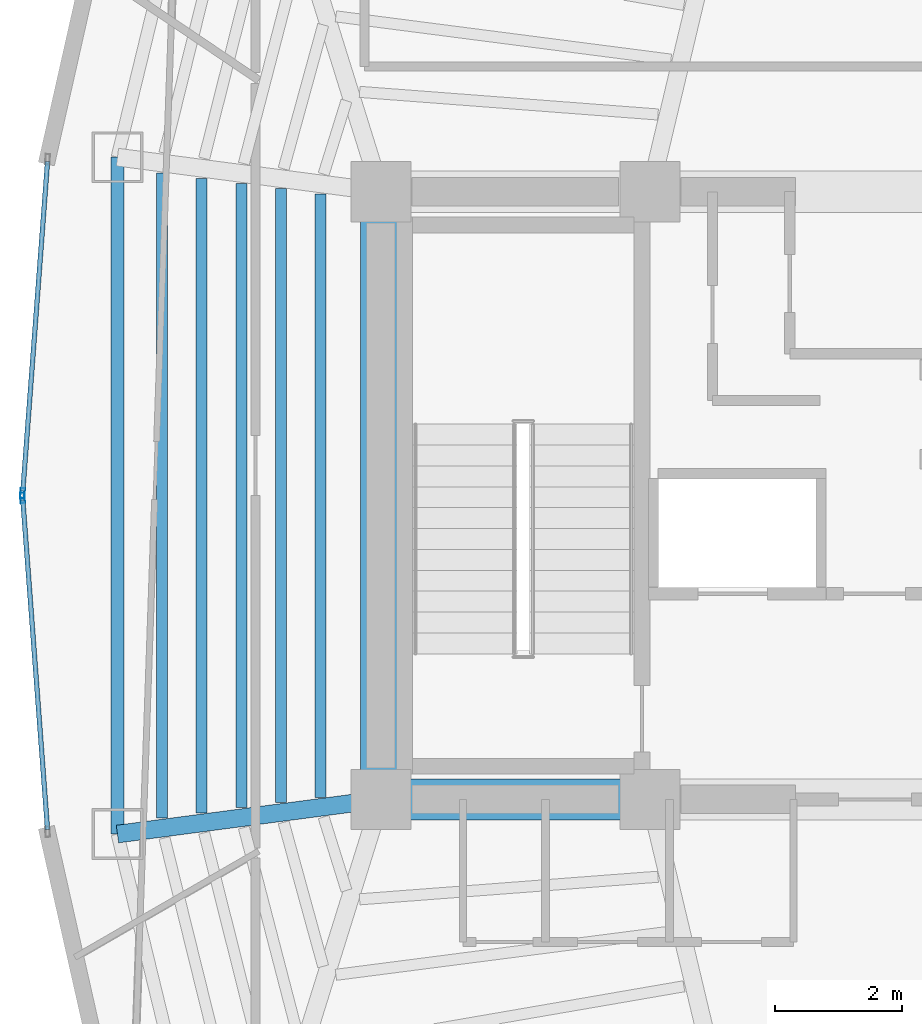
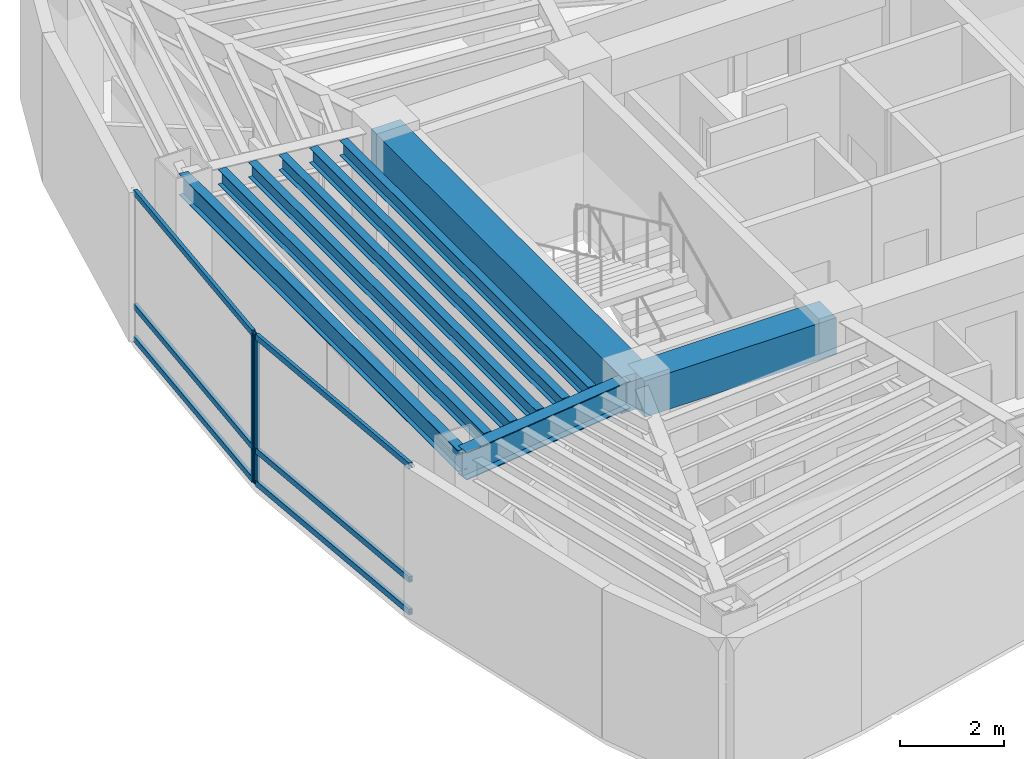
# One storey, part 4 of 16: 9 beams, 8 members, 2 elements without a shape of their own.
"""IFC4 building model written with IfcOpenShell, lengths in metres."""

from ifc_helpers import new_model, si_unit, direction, frame, origin, origin_2d, place, context, subcontext, project, spatial, rectangle, hollow_rectangle, i_section, extrude, material, layer, layer_set, material_profile, profile_set, type_object, element, aggregate, save


model = new_model("IFC4")

# Units and contexts
model_context = context("Model", 3, precision=1e-05, world=origin(), true_north=direction((0.0, 1.0)))
body_context = subcontext(model_context, "Body", "Model", "MODEL_VIEW")
ifc_project = project(units=[si_unit("LENGTHUNIT", "METRE"), si_unit("AREAUNIT", "SQUARE_METRE"), si_unit("VOLUMEUNIT", "CUBIC_METRE"), si_unit("PLANEANGLEUNIT", "RADIAN"), si_unit("MASSUNIT", "GRAM", prefix="KILO")], contexts=[model_context])

# Site, building, storey
site_placement = place(None, origin())
site = spatial("IfcSite", under=ifc_project, at=site_placement, CompositionType="ELEMENT")
building_placement = place(site_placement, origin())
building = spatial("IfcBuilding", under=site, at=building_placement, Name="Menara Vayukalpa", CompositionType="ELEMENT")
storey_placement = place(building_placement, frame((0.0, 0.0, 276.89990234375)))
storey = spatial("IfcBuildingStorey", under=building, at=storey_placement, Name="L70", CompositionType="ELEMENT", Elevation=276.89990234375)

# Beams
ifc_material_1 = material(Name="Concrete C60/75", Category="concrete")
ifc_material_profile_1 = material_profile(ifc_material_1, rectangle(XDim=0.64990234375, YDim=0.85009765625, at=origin_2d()), Name="RC 650x850")
ifc_profile_set_1 = profile_set([ifc_material_profile_1], Name="Concrete C60/75")
beam_type_1 = type_object("IfcBeamType", Name="BM-CB1", PredefinedType="BEAM", material=ifc_profile_set_1)
beam_1_placement = place(storey_placement, frame((17.800048828125, 17.199951171875, 3.0751953125), z_axis=(1.0, 0.0, 0.0), x_axis=(0.0, 1.0, 0.0)))
element("IfcBeam", 1, at=beam_1_placement, inside=storey, type_object=beam_type_1, Name="L70 Core Tie Beam CBR1", PredefinedType="BEAM", context=body_context, shape_type="SweptSolid", body=[
    extrude(rectangle(XDim=0.64990234375, YDim=0.85009765625, at=origin_2d()), origin(), (0.0, 0.0, 1.0), 4.25),
])
beam_2_placement = place(storey_placement, frame((17.800048828125, 17.199951171875, 3.0751953125), z_axis=(0.0, 1.0, 0.0), x_axis=(-1.0, 0.0, 0.0)))
element("IfcBeam", 2, at=beam_2_placement, inside=storey, type_object=beam_type_1, Name="L70 Core Tie Beam CBR7", PredefinedType="BEAM", context=body_context, shape_type="SweptSolid", body=[
    extrude(rectangle(XDim=0.64990234375, YDim=0.85009765625, at=origin_2d()), origin(), (0.0, 0.0, 1.0), 9.60009765625),
])
ifc_material_2 = material(Name="Steel S355", Category="steel")
ifc_material_profile_2 = material_profile(ifc_material_2, i_section(OverallWidth=0.280029296875, OverallDepth=0.64990234375, WebThickness=0.012939453125, FlangeThickness=0.02197265625, at=origin_2d()), Name="WF 650x280x13x22")
ifc_profile_set_2 = profile_set([ifc_material_profile_2], Name="Steel S355")
beam_type_2 = type_object("IfcBeamType", Name="BM-PG6", PredefinedType="BEAM", material=ifc_profile_set_2)
beam_3_placement = place(storey_placement, frame((17.552001953125, 17.16748046875, 3.175048828125), z_axis=(-0.991477860763, -0.130275291662, 0.0), x_axis=(0.130275291662, -0.991477860763, 0.0)))
element("IfcBeam", 3, at=beam_3_placement, inside=storey, type_object=beam_type_2, Name="L70 Primary Radial Girder RG06", PredefinedType="BEAM", context=body_context, shape_type="SweptSolid", body=[
    extrude(i_section(OverallWidth=0.280029296875, OverallDepth=0.64990234375, WebThickness=0.012939453125, FlangeThickness=0.02197265625, at=origin_2d()), origin(), (0.0, 0.0, 1.0), 3.94677734375),
])
ifc_material_3 = material(Name="Steel S355", Category="steel")
ifc_material_profile_3 = material_profile(ifc_material_3, i_section(OverallWidth=0.175048828125, OverallDepth=0.35009765625, WebThickness=0.007080078125, FlangeThickness=0.010986328125, at=origin_2d()), Name="WF 350x175x7x11")
ifc_profile_set_3 = profile_set([ifc_material_profile_3], Name="Steel S355")
beam_type_3 = type_object("IfcBeamType", Name="BM-SJ3", PredefinedType="JOIST", material=ifc_profile_set_3)
beam_4_placement = place(storey_placement, frame((16.84765625, 26.76513671875, 3.3251953125), z_axis=(0.0, -1.0, 0.0), x_axis=(1.0, 0.0, 0.0)))
element("IfcBeam", 4, at=beam_4_placement, inside=storey, type_object=beam_type_3, Name="L70 Secondary Floor Joist SJ05-1", PredefinedType="JOIST", context=body_context, shape_type="SweptSolid", body=[
    extrude(i_section(OverallWidth=0.175048828125, OverallDepth=0.35009765625, WebThickness=0.007080078125, FlangeThickness=0.010986328125, at=origin_2d()), origin(), (0.0, 0.0, 1.0), 9.5302734375),
])
beam_5_placement = place(storey_placement, frame((16.2216796875, 26.847412109375, 3.3251953125), z_axis=(0.0, -1.0, 0.0), x_axis=(1.0, 0.0, 0.0)))
element("IfcBeam", 5, at=beam_5_placement, inside=storey, type_object=beam_type_3, Name="L70 Secondary Floor Joist SJ05-2", PredefinedType="JOIST", context=body_context, shape_type="SweptSolid", body=[
    extrude(i_section(OverallWidth=0.175048828125, OverallDepth=0.35009765625, WebThickness=0.007080078125, FlangeThickness=0.010986328125, at=origin_2d()), origin(), (0.0, 0.0, 1.0), 9.69482421875),
])
beam_6_placement = place(storey_placement, frame((15.595458984375, 26.9296875, 3.3251953125), z_axis=(0.0, -1.0, 0.0), x_axis=(1.0, 0.0, 0.0)))
element("IfcBeam", 6, at=beam_6_placement, inside=storey, type_object=beam_type_3, Name="L70 Secondary Floor Joist SJ05-3", PredefinedType="JOIST", context=body_context, shape_type="SweptSolid", body=[
    extrude(i_section(OverallWidth=0.175048828125, OverallDepth=0.35009765625, WebThickness=0.007080078125, FlangeThickness=0.010986328125, at=origin_2d()), origin(), (0.0, 0.0, 1.0), 9.859375),
])
beam_7_placement = place(storey_placement, frame((14.969482421875, 27.011962890625, 3.3251953125), z_axis=(0.0, -1.0, 0.0), x_axis=(1.0, 0.0, 0.0)))
element("IfcBeam", 7, at=beam_7_placement, inside=storey, type_object=beam_type_3, Name="L70 Secondary Floor Joist SJ05-4", PredefinedType="JOIST", context=body_context, shape_type="SweptSolid", body=[
    extrude(i_section(OverallWidth=0.175048828125, OverallDepth=0.35009765625, WebThickness=0.007080078125, FlangeThickness=0.010986328125, at=origin_2d()), origin(), (0.0, 0.0, 1.0), 10.02392578125),
])
beam_8_placement = place(storey_placement, frame((14.343505859375, 27.09423828125, 3.3251953125), z_axis=(0.0, -1.0, 0.0), x_axis=(1.0, 0.0, 0.0)))
element("IfcBeam", 8, at=beam_8_placement, inside=storey, type_object=beam_type_3, Name="L70 Secondary Floor Joist SJ05-5", PredefinedType="JOIST", context=body_context, shape_type="SweptSolid", body=[
    extrude(i_section(OverallWidth=0.175048828125, OverallDepth=0.35009765625, WebThickness=0.007080078125, FlangeThickness=0.010986328125, at=origin_2d()), origin(), (0.0, 0.0, 1.0), 10.1884765625),
])
ifc_material_4 = material(Name="Steel S355", Category="steel")
ifc_material_profile_4 = material_profile(ifc_material_4, i_section(OverallWidth=0.199951171875, OverallDepth=0.5, WebThickness=0.010009765625, FlangeThickness=0.01611328125, at=origin_2d()), Name="WF 500x200x10x16")
ifc_profile_set_4 = profile_set([ifc_material_profile_4], Name="Steel S355")
beam_type_4 = type_object("IfcBeamType", Name="BM-SP3", PredefinedType="SPANDREL", material=ifc_profile_set_4)
beam_9_placement = place(storey_placement, frame((13.638916015625, 27.3466796875, 3.25), z_axis=(0.0, -1.0, 0.0), x_axis=(1.0, 0.0, 0.0)))
element("IfcBeam", 9, at=beam_9_placement, inside=storey, type_object=beam_type_4, Name="L70 Perimeter Spandrel Beam SP05", PredefinedType="SPANDREL", context=body_context, shape_type="SweptSolid", body=[
    extrude(i_section(OverallWidth=0.199951171875, OverallDepth=0.5, WebThickness=0.010009765625, FlangeThickness=0.01611328125, at=origin_2d()), origin(), (0.0, 0.0, 1.0), 10.693359375),
])

# Curtain wall, member
ifc_material_5 = material(Name="Anodised Terracotta Aluminium Alloy 6063-T6", Category="masonry")
ifc_layer = layer(ifc_material_5, 0.1650390625)
ifc_layer_set = layer_set([ifc_layer], Name="Anodised Terracotta Aluminium Alloy 6063-T6")
curtain_wall_type = type_object("IfcCurtainWallType", Name="CW-CW6", PredefinedType="USERDEFINED", material=ifc_layer_set)
curtain_wall_1_placement = place(storey_placement, origin())
curtain_wall_1 = element("IfcCurtainWall", 10, at=curtain_wall_1_placement, inside=storey, type_object=curtain_wall_type, Name="L70 Observation and Executive Curtain Wall CW6 10", ObjectType="UNITISED", PredefinedType="USERDEFINED")
ifc_material_6 = material(Name="Anodised Terracotta Aluminium Alloy 6063-T6", Category="masonry")
ifc_material_profile_5 = material_profile(ifc_material_6, hollow_rectangle(XDim=0.070068359375, YDim=0.1650390625, WallThickness=0.00390625, at=origin_2d()), Name="ALU 70x165x4")
ifc_profile_set_5 = profile_set([ifc_material_profile_5], Name="Anodised Terracotta Aluminium Alloy 6063-T6")
member_type_1 = type_object("IfcMemberType", Name="CWM-CW6", PredefinedType="MULLION", material=ifc_profile_set_5)
member_1_placement = place(storey_placement, frame((12.140625, 22.034912109375, 0.0), z_axis=(0.0, 0.0, 1.0), x_axis=(0.997199344663, -0.074789484574, 0.0)))
member_1 = element("IfcMember", 11, at=member_1_placement, type_object=member_type_1, Name="CW6 mullion 2", PredefinedType="MULLION", context=body_context, shape_type="SweptSolid", body=[
    extrude(hollow_rectangle(XDim=0.070068359375, YDim=0.1650390625, WallThickness=0.00390625, at=origin_2d()), origin(), (0.0, 0.0, 1.0), 3.5),
])

curtain_wall_2_placement = place(storey_placement, origin())
curtain_wall_2 = element("IfcCurtainWall", 12, at=curtain_wall_2_placement, inside=storey, type_object=curtain_wall_type, Name="L70 Observation and Executive Curtain Wall CW6 11", ObjectType="UNITISED", PredefinedType="USERDEFINED")
member_2_placement = place(storey_placement, frame((12.140625, 21.965087890625, 0.0), z_axis=(0.0, 0.0, 1.0), x_axis=(0.997199344663, 0.074789484574, 0.0)))
member_2 = element("IfcMember", 13, at=member_2_placement, type_object=member_type_1, Name="CW6 mullion 1", PredefinedType="MULLION", context=body_context, shape_type="SweptSolid", body=[
    extrude(hollow_rectangle(XDim=0.070068359375, YDim=0.1650390625, WallThickness=0.00390625, at=origin_2d()), origin(), (0.0, 0.0, 1.0), 3.5),
])

# Member
ifc_material_7 = material(Name="Anodised Terracotta Aluminium Alloy 6063-T6", Category="masonry")
ifc_material_profile_6 = material_profile(ifc_material_7, hollow_rectangle(XDim=0.074951171875, YDim=0.135009765625, WallThickness=0.00390625, at=origin_2d()), Name="ALU 75x135x4")
ifc_profile_set_6 = profile_set([ifc_material_profile_6], Name="Anodised Terracotta Aluminium Alloy 6063-T6")
member_type_2 = type_object("IfcMemberType", Name="CWT-CW6", PredefinedType="USERDEFINED", material=ifc_profile_set_6)
member_3_placement = place(storey_placement, frame((12.53369140625, 27.27685546875, 0.03759765625), z_axis=(-0.074762051827, -0.997201401727, 0.0), x_axis=(0.997201401727, -0.074762051827, 0.0)))
member_3 = element("IfcMember", 14, at=member_3_placement, type_object=member_type_2, Name="CW6 transom 1.1", ObjectType="TRANSOM", PredefinedType="USERDEFINED", context=body_context, shape_type="SweptSolid", body=[
    extrude(hollow_rectangle(XDim=0.074951171875, YDim=0.135009765625, WallThickness=0.00390625, at=origin_2d()), origin(), (0.0, 0.0, 1.0), 5.2216796875),
])

member_4_placement = place(storey_placement, frame((12.53369140625, 27.27685546875, 0.800048828125), z_axis=(-0.074762051827, -0.997201401727, 0.0), x_axis=(0.997201401727, -0.074762051827, 0.0)))
member_4 = element("IfcMember", 15, at=member_4_placement, type_object=member_type_2, Name="CW6 transom 1.2", ObjectType="TRANSOM", PredefinedType="USERDEFINED", context=body_context, shape_type="SweptSolid", body=[
    extrude(hollow_rectangle(XDim=0.074951171875, YDim=0.135009765625, WallThickness=0.00390625, at=origin_2d()), origin(), (0.0, 0.0, 1.0), 5.2216796875),
])

member_5_placement = place(storey_placement, frame((12.53369140625, 27.27685546875, 3.462646484375), z_axis=(-0.074762051827, -0.997201401727, 0.0), x_axis=(0.997201401727, -0.074762051827, 0.0)))
member_5 = element("IfcMember", 16, at=member_5_placement, type_object=member_type_2, Name="CW6 transom 1.3", ObjectType="TRANSOM", PredefinedType="USERDEFINED", context=body_context, shape_type="SweptSolid", body=[
    extrude(hollow_rectangle(XDim=0.074951171875, YDim=0.135009765625, WallThickness=0.00390625, at=origin_2d()), origin(), (0.0, 0.0, 1.0), 5.2216796875),
])

aggregate(curtain_wall_1, [member_1, member_3, member_4, member_5])

member_6_placement = place(storey_placement, frame((12.143310546875, 21.93017578125, 0.03759765625), z_axis=(0.074762051827, -0.997201401727, 0.0), x_axis=(0.997201401727, 0.074762051827, 0.0)))
member_6 = element("IfcMember", 17, at=member_6_placement, type_object=member_type_2, Name="CW6 transom 1.1", ObjectType="TRANSOM", PredefinedType="USERDEFINED", context=body_context, shape_type="SweptSolid", body=[
    extrude(hollow_rectangle(XDim=0.074951171875, YDim=0.135009765625, WallThickness=0.00390625, at=origin_2d()), origin(), (0.0, 0.0, 1.0), 5.2216796875),
])

member_7_placement = place(storey_placement, frame((12.143310546875, 21.93017578125, 0.800048828125), z_axis=(0.074762051827, -0.997201401727, 0.0), x_axis=(0.997201401727, 0.074762051827, 0.0)))
member_7 = element("IfcMember", 18, at=member_7_placement, type_object=member_type_2, Name="CW6 transom 1.2", ObjectType="TRANSOM", PredefinedType="USERDEFINED", context=body_context, shape_type="SweptSolid", body=[
    extrude(hollow_rectangle(XDim=0.074951171875, YDim=0.135009765625, WallThickness=0.00390625, at=origin_2d()), origin(), (0.0, 0.0, 1.0), 5.2216796875),
])

member_8_placement = place(storey_placement, frame((12.143310546875, 21.93017578125, 3.462646484375), z_axis=(0.074762051827, -0.997201401727, 0.0), x_axis=(0.997201401727, 0.074762051827, 0.0)))
member_8 = element("IfcMember", 19, at=member_8_placement, type_object=member_type_2, Name="CW6 transom 1.3", ObjectType="TRANSOM", PredefinedType="USERDEFINED", context=body_context, shape_type="SweptSolid", body=[
    extrude(hollow_rectangle(XDim=0.074951171875, YDim=0.135009765625, WallThickness=0.00390625, at=origin_2d()), origin(), (0.0, 0.0, 1.0), 5.2216796875),
])

aggregate(curtain_wall_2, [member_2, member_6, member_7, member_8])

save(model, "model.ifc")
